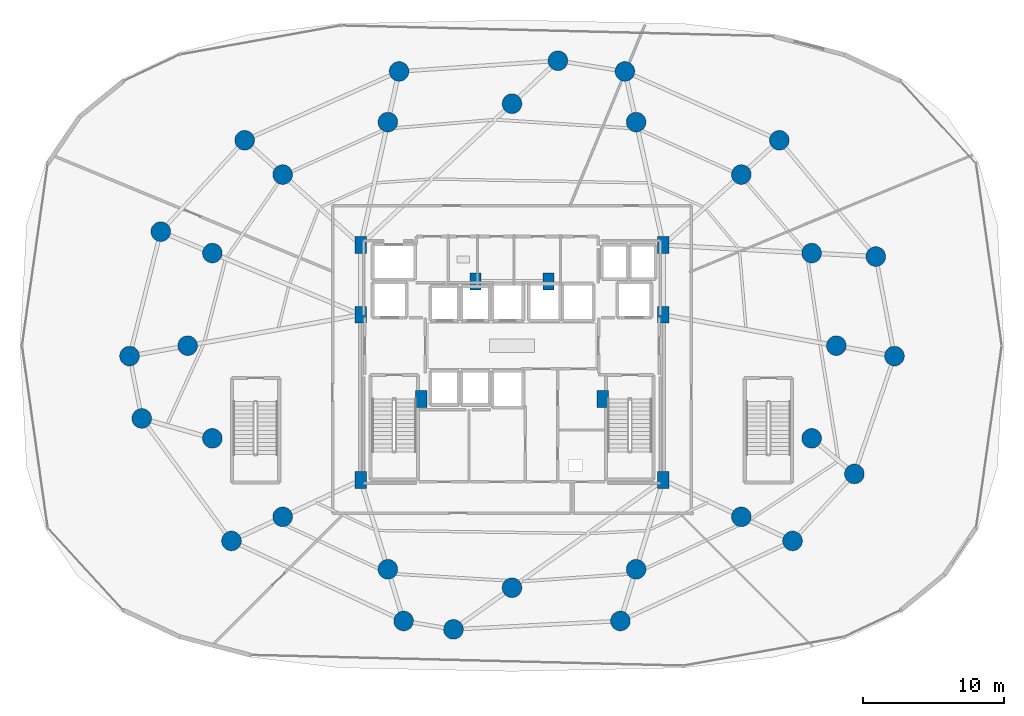
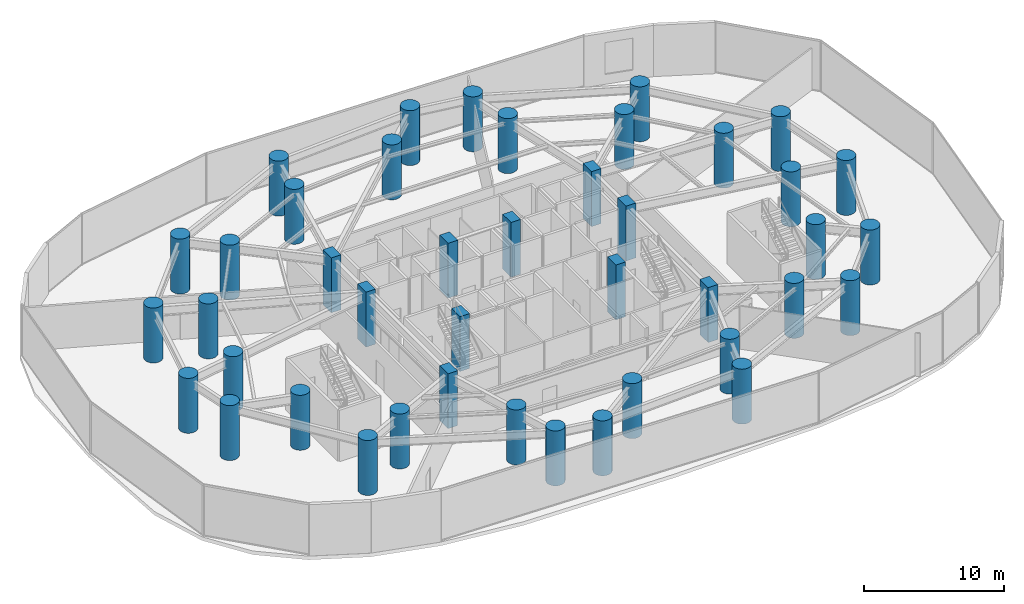
# One storey, part 1 of 26: 42 columns.
"""IFC4 building model written with IfcOpenShell, lengths in metres."""

import ifcopenshell
import ifcopenshell.guid

model = None  # the IFC model being written
_history = None  # IfcOwnerHistory: only IFC2X3 demands one
_inside = {}  # id of a spatial element -> (the spatial element, [elements in it])
_under = {}  # id of a project, library or spatial element -> (it, [spatial elements below it])
_declared = {}  # id of a project -> (the project, [libraries it declares])
_typed = {}  # id of a type object -> (the type object, [elements of that type])
_made_of = {}  # id of a material, layer set ... -> (it, [elements and type objects made of it])


def new_model(schema):
    """Start an empty IFC model of exactly this schema.

    Asked for "IFC4X3", IfcOpenShell would pick the latest addendum, in which some entities
    have other attributes; the version numbers below select the first issue.
    IFC2X3 requires an IfcOwnerHistory on every rooted entity: one is made here for all.
    """
    global model, _history
    if schema == "IFC4X3":
        model = ifcopenshell.file(schema_version=(4, 3, 0, 0))
    else:
        model = ifcopenshell.file(schema=schema)
    _inside.clear()
    _under.clear()
    _declared.clear()
    _typed.clear()
    _made_of.clear()
    _history = None
    if model.schema == "IFC2X3":
        org = make("IfcOrganization", Name="unknown")
        user = make(
            "IfcPersonAndOrganization",
            ThePerson=make("IfcPerson", FamilyName="unknown"),
            TheOrganization=org,
        )
        app = make(
            "IfcApplication",
            ApplicationDeveloper=org,
            Version="unknown",
            ApplicationFullName="unknown",
            ApplicationIdentifier="unknown",
        )
        _history = make(
            "IfcOwnerHistory",
            OwningUser=user,
            OwningApplication=app,
            ChangeAction="ADDED",
            CreationDate=0,
        )
    return model


def make(cls, **values):
    """One entity of the class cls with the attributes given. An attribute that is None is left unset."""
    return model.create_entity(
        cls, **{name: value for name, value in values.items() if value is not None}
    )


def rooted(cls, **values):
    """An entity with a GlobalId (a new one), such as an element, a storey or a relation."""
    return make(cls, GlobalId=ifcopenshell.guid.new(), OwnerHistory=_history, **values)


def si_unit(unit_type, name, prefix=None):
    """IfcSIUnit, for example si_unit("LENGTHUNIT", "METRE", prefix="MILLI")."""
    return make("IfcSIUnit", UnitType=unit_type, Prefix=prefix, Name=name)


def assignment(units):
    """IfcUnitAssignment: the units of a project."""
    return None if units is None else make("IfcUnitAssignment", Units=units)


def point(xyz):
    """IfcCartesianPoint."""
    return None if xyz is None else make("IfcCartesianPoint", Coordinates=xyz)


def direction(xyz):
    """IfcDirection."""
    return None if xyz is None else make("IfcDirection", DirectionRatios=xyz)


def frame(location, z_axis=None, x_axis=None):
    """IfcAxis2Placement3D, a coordinate frame: its origin and axes. An axis left out is left unset."""
    return make(
        "IfcAxis2Placement3D",
        Location=point(location),
        Axis=direction(z_axis),
        RefDirection=direction(x_axis),
    )


def frame_2d(location, x_axis=None):
    """IfcAxis2Placement2D, a coordinate frame in the plane: its origin and x axis."""
    return make(
        "IfcAxis2Placement2D", Location=point(location), RefDirection=direction(x_axis)
    )


def origin():
    """The frame at (0, 0, 0) with its axes left unset."""
    return frame((0.0, 0.0, 0.0))


def origin_2d():
    """The frame at (0, 0) in the plane with its x axis left unset."""
    return frame_2d((0.0, 0.0))


def place(relative_to, where):
    """IfcLocalPlacement: puts the frame where relative to a parent placement (None: the world)."""
    return make(
        "IfcLocalPlacement", PlacementRelTo=relative_to, RelativePlacement=where
    )


def context(
    kind, dimensions, precision=None, world=None, true_north=None, identifier=None
):
    """IfcGeometricRepresentationContext, for example the 3D "Model" context."""
    return make(
        "IfcGeometricRepresentationContext",
        ContextIdentifier=identifier,
        ContextType=kind,
        CoordinateSpaceDimension=dimensions,
        Precision=precision,
        WorldCoordinateSystem=world,
        TrueNorth=true_north,
    )


def subcontext(parent, identifier, kind, view, scale=None):
    """IfcGeometricRepresentationSubContext, for example "Body" below "Model"."""
    return make(
        "IfcGeometricRepresentationSubContext",
        ContextIdentifier=identifier,
        ContextType=kind,
        ParentContext=parent,
        TargetScale=scale,
        TargetView=view,
    )


def project(units=None, contexts=None):
    """IfcProject with its units and contexts."""
    return rooted(
        "IfcProject",
        Name="project",
        RepresentationContexts=contexts,
        UnitsInContext=assignment(units),
    )


def spatial(cls, under=None, at=None, **own):
    """A site, building, storey or space (cls), placed at a placement, below another one or the project."""
    s = rooted(cls, ObjectPlacement=at, **own)
    if under is not None:
        _under.setdefault(under.id(), (under, []))[1].append(s)
    return s


def profile(cls, at=None, kind="AREA", **sizes):
    """A parametric profile (cls). Its sizes go by their IFC names, for example OverallWidth=200.0."""
    return make(cls, ProfileType=kind, Position=at, **sizes)


def rectangle(**sizes):
    """IfcRectangleProfileDef."""
    return profile("IfcRectangleProfileDef", **sizes)


def circle(**sizes):
    """IfcCircleProfileDef."""
    return profile("IfcCircleProfileDef", **sizes)


def extrude(swept, where, along, depth):
    """IfcExtrudedAreaSolid: the profile swept, set in the frame where, extruded along a direction by depth."""
    return make(
        "IfcExtrudedAreaSolid",
        SweptArea=swept,
        Position=where,
        ExtrudedDirection=direction(along),
        Depth=depth,
    )


def shape(context_of_items, identifier, shape_type, items):
    """IfcShapeRepresentation: the items that make up one representation, for example the "Body"."""
    return make(
        "IfcShapeRepresentation",
        ContextOfItems=context_of_items,
        RepresentationIdentifier=identifier,
        RepresentationType=shape_type,
        Items=items,
    )


def material(Name=None, Category=None):
    """IfcMaterial."""
    return make("IfcMaterial", Name=Name, Category=Category)


def material_profile(
    of_material, cross_section, Name=None, Category=None, Priority=None
):
    """IfcMaterialProfile: a cross section and its material."""
    return make(
        "IfcMaterialProfile",
        Name=Name,
        Material=of_material,
        Profile=cross_section,
        Priority=Priority,
        Category=Category,
    )


def profile_set(profiles, Name=None, composite=None):
    """IfcMaterialProfileSet."""
    return make(
        "IfcMaterialProfileSet",
        Name=Name,
        MaterialProfiles=profiles,
        CompositeProfile=composite,
    )


def made_of(thing, what):
    """Note that an element or type object is made of a material, layer set ...; save() writes the relation."""
    if what is not None:
        _made_of.setdefault(what.id(), (what, []))[1].append(thing)
    return thing


def type_object(cls, material=None, **own):
    """A type object (cls), such as IfcWallType, which elements share."""
    return made_of(rooted(cls, **own), material)


def element(
    cls,
    number,
    at=None,
    inside=None,
    cuts=None,
    type_object=None,
    material=None,
    context=None,
    identifier="Body",
    shape_type=None,
    held_by="IfcProductDefinitionShape",
    body=None,
    shapes=None,
    **own,
):
    """One element of the class cls, such as IfcWall. Its Tag is "e" and its number.

    at: its placement. inside: the storey or other place that contains it. cuts: it is an
    opening in that element (IfcRelVoidsElement). A single representation is given by context,
    identifier, shape_type and body (its items); several are given by shapes. held_by: the class
    of the entity that holds the representations. save() writes the other relations.
    """
    e = rooted(cls, Tag="e%d" % number, ObjectPlacement=at, **own)
    if body is not None:
        shapes = [shape(context, identifier, shape_type, body)]
    if shapes is not None:
        e.Representation = make(held_by, Representations=shapes)
    if inside is not None:
        _inside.setdefault(inside.id(), (inside, []))[1].append(e)
    if cuts is not None:
        rooted(
            "IfcRelVoidsElement", RelatingBuildingElement=cuts, RelatedOpeningElement=e
        )
    if type_object is not None:
        _typed.setdefault(type_object.id(), (type_object, []))[1].append(e)
    return made_of(e, material)


def aggregate(whole, parts):
    """IfcRelAggregates: a whole, such as a stair, and the parts it consists of."""
    return rooted("IfcRelAggregates", RelatingObject=whole, RelatedObjects=parts)


def save(model, path):
    """Write the relations noted so far, then the file.

    IfcRelAggregates (storeys below a building ...), IfcRelContainedInSpatialStructure (elements
    in a storey), IfcRelDefinesByType, IfcRelAssociatesMaterial and IfcRelDeclares: one each for
    every whole, place, type object, material and project.
    """
    for whole, parts in _under.values():
        aggregate(whole, parts)
    for where, things in _inside.values():
        rooted(
            "IfcRelContainedInSpatialStructure",
            RelatedElements=things,
            RelatingStructure=where,
        )
    for kind, things in _typed.values():
        rooted("IfcRelDefinesByType", RelatedObjects=things, RelatingType=kind)
    for what, things in _made_of.values():
        rooted("IfcRelAssociatesMaterial", RelatedObjects=things, RelatingMaterial=what)
    for by, libraries in _declared.values():
        rooted("IfcRelDeclares", RelatingContext=by, RelatedDefinitions=libraries)
    model.write(path)


model = new_model("IFC4")

# Units and contexts
model_context = context("Model", 3, precision=1e-05, world=origin(), true_north=direction((0.0, 1.0)))
body_context = subcontext(model_context, "Body", "Model", "MODEL_VIEW")
ifc_project = project(units=[si_unit("LENGTHUNIT", "METRE"), si_unit("AREAUNIT", "SQUARE_METRE"), si_unit("VOLUMEUNIT", "CUBIC_METRE"), si_unit("PLANEANGLEUNIT", "RADIAN"), si_unit("MASSUNIT", "GRAM", prefix="KILO")], contexts=[model_context])

# Site, building, storey
site_placement = place(None, origin())
site = spatial("IfcSite", under=ifc_project, at=site_placement, CompositionType="ELEMENT")
building_placement = place(site_placement, origin())
building = spatial("IfcBuilding", under=site, at=building_placement, Name="Vorneva Point Tower", CompositionType="ELEMENT")
storey_placement = place(building_placement, frame((0.0, 0.0, 14.39990234375)))
storey = spatial("IfcBuildingStorey", under=building, at=storey_placement, Name="L03", CompositionType="ELEMENT", Elevation=14.39990234375)

# Columns
ifc_material = material(Name="Concrete B60 (C50/60)", Category="concrete")
ifc_material_profile_1 = material_profile(ifc_material, circle(Radius=0.699951171875, at=origin_2d()), Name="RC-CIRC 1400")
ifc_profile_set_1 = profile_set([ifc_material_profile_1], Name="Concrete B60 (C50/60)")
column_type_1 = type_object("IfcColumnType", Name="COL-RC1400C", PredefinedType="COLUMN", material=ifc_profile_set_1)
for number, where, z_axis, x_axis, name in (
    (1, (61.050048828125, 26.0, 0.0), (0.0, 0.0, 1.0), (1.0, 0.0, 0.0), "L03 Perimeter Column P01"),
    (2, (59.29541015625, 32.582275390625, 0.0), (0.0, 0.0, 1.0), (0.923879532511, 0.382683432365, 0.0), "L03 Perimeter Column P02"),
    (3, (54.298828125, 38.162109375, 0.0), (0.0, 0.0, 1.0), (0.707106781187, 0.707106781187, 0.0), "L03 Perimeter Column P03"),
    (4, (46.82080078125, 41.890625, 0.0), (0.0, 0.0, 1.0), (0.382683432365, 0.923879532511, 0.0), "L03 Perimeter Column P04"),
    (5, (38.0, 43.199951171875, 0.0), (0.0, 0.0, 1.0), (0.0, 1.0, 0.0), "L03 Perimeter Column P05"),
    (6, (29.17919921875, 41.890625, 0.0), (0.0, 0.0, 1.0), (-0.382683432365, 0.923879532511, 0.0), "L03 Perimeter Column P06"),
    (7, (21.701171875, 38.162109375, 0.0), (0.0, 0.0, 1.0), (-0.707106781187, 0.707106781187, 0.0), "L03 Perimeter Column P07"),
    (8, (16.70458984375, 32.582275390625, 0.0), (0.0, 0.0, 1.0), (-0.923879532511, 0.382683432365, 0.0), "L03 Perimeter Column P08"),
    (9, (14.949951171875, 26.0, 0.0), (0.0, 0.0, 1.0), (-1.0, 0.0, 0.0), "L03 Perimeter Column P09"),
    (10, (16.70458984375, 19.417724609375, 0.0), (0.0, 0.0, 1.0), (-0.923879532511, -0.382683432365, 0.0), "L03 Perimeter Column P10"),
    (11, (21.701171875, 13.837890625, 0.0), (0.0, 0.0, 1.0), (-0.707106781187, -0.707106781187, 0.0), "L03 Perimeter Column P11"),
    (12, (29.17919921875, 10.109375, 0.0), (0.0, 0.0, 1.0), (-0.382683432365, -0.923879532511, 0.0), "L03 Perimeter Column P12"),
    (13, (38.0, 8.800048828125, 0.0), (0.0, 0.0, 1.0), (0.0, -1.0, 0.0), "L03 Perimeter Column P13"),
    (14, (46.82080078125, 10.109375, 0.0), (0.0, 0.0, 1.0), (0.382683432365, -0.923879532511, 0.0), "L03 Perimeter Column P14"),
    (15, (54.298828125, 13.837890625, 0.0), (0.0, 0.0, 1.0), (0.707106781187, -0.707106781187, 0.0), "L03 Perimeter Column P15"),
    (16, (59.29541015625, 19.417724609375, 0.0), (0.0, 0.0, 1.0), (0.923879532511, -0.382683432365, 0.0), "L03 Perimeter Column P16"),
    (17, (65.18212890625, 25.260986328125, 0.0), (0.0, 0.0, 1.0), (1.0, 0.0, 0.0), "L03 Outer Zone Column OP01"),
    (18, (63.8544921875, 32.336669921875, 0.0), (0.0, 0.0, 1.0), (0.923879532511, 0.382683432365, 0.0), "L03 Outer Zone Column OP02"),
    (19, (56.997314453125, 40.599853515625, 0.0), (0.0, 0.0, 1.0), (0.707106781187, 0.707106781187, 0.0), "L03 Outer Zone Column OP03"),
    (20, (46.026123046875, 45.49169921875, 0.0), (0.0, 0.0, 1.0), (0.382683432365, 0.923879532511, 0.0), "L03 Outer Zone Column OP04"),
    (21, (41.26513671875, 46.25244140625, 0.0), (0.0, 0.0, 1.0), (0.0, 1.0, 0.0), "L03 Outer Zone Column OP05"),
    (22, (29.973876953125, 45.49169921875, 0.0), (0.0, 0.0, 1.0), (-0.382683432365, 0.923879532511, 0.0), "L03 Outer Zone Column OP06"),
    (23, (19.002685546875, 40.599853515625, 0.0), (0.0, 0.0, 1.0), (-0.707106781187, 0.707106781187, 0.0), "L03 Outer Zone Column OP07"),
    (24, (13.0390625, 34.10546875, 0.0), (0.0, 0.0, 1.0), (-0.923879532511, 0.382683432365, 0.0), "L03 Outer Zone Column OP08"),
    (25, (10.81787109375, 25.260986328125, 0.0), (0.0, 0.0, 1.0), (-1.0, 0.0, 0.0), "L03 Outer Zone Column OP09"),
    (26, (11.68798828125, 20.82958984375, 0.0), (0.0, 0.0, 1.0), (-0.923879532511, -0.382683432365, 0.0), "L03 Outer Zone Column OP10"),
    (27, (18.061279296875, 12.124267578125, 0.0), (0.0, 0.0, 1.0), (-0.707106781187, -0.707106781187, 0.0), "L03 Outer Zone Column OP11"),
    (28, (30.296875, 6.435302734375, 0.0), (0.0, 0.0, 1.0), (-0.382683432365, -0.923879532511, 0.0), "L03 Outer Zone Column OP12"),
    (29, (33.84033203125, 5.83984375, 0.0), (0.0, 0.0, 1.0), (0.0, -1.0, 0.0), "L03 Outer Zone Column OP13"),
    (30, (45.703125, 6.435302734375, 0.0), (0.0, 0.0, 1.0), (0.382683432365, -0.923879532511, 0.0), "L03 Outer Zone Column OP14"),
    (31, (57.938720703125, 12.124267578125, 0.0), (0.0, 0.0, 1.0), (0.707106781187, -0.707106781187, 0.0), "L03 Outer Zone Column OP15"),
    (32, (62.3349609375, 16.886474609375, 0.0), (0.0, 0.0, 1.0), (0.923879532511, -0.382683432365, 0.0), "L03 Outer Zone Column OP16"),
):
    element("IfcColumn", number, at=place(storey_placement, frame(where, z_axis=z_axis, x_axis=x_axis)), inside=storey, type_object=column_type_1, Name=name, PredefinedType="COLUMN", context=body_context, shape_type="SweptSolid", body=[
        extrude(circle(Radius=0.699951171875, at=origin_2d()), origin(), (0.0, 0.0, 1.0), 4.800048828125),
    ])
ifc_material_profile_2 = material_profile(ifc_material, rectangle(XDim=0.800048828125, YDim=1.199951171875, at=origin_2d()), Name="RC-PIL 1200x800")
ifc_profile_set_2 = profile_set([ifc_material_profile_2], Name="Concrete B60 (C50/60)")
column_type_2 = type_object("IfcColumnType", Name="PIL-RC1200x800", PredefinedType="PILASTER", material=ifc_profile_set_2)
for number, where, z_axis, x_axis, name in (
    (33, (27.25, 16.449951171875, 0.0), (0.0, 0.0, 1.0), (1.0, 0.0, 0.0), "L03 Core Pilaster CP1"),
    (34, (27.25, 28.199951171875, 0.0), (0.0, 0.0, 1.0), (1.0, 0.0, 0.0), "L03 Core Pilaster CP2"),
    (35, (27.25, 33.14990234375, 0.0), (0.0, 0.0, 1.0), (1.0, 0.0, 0.0), "L03 Core Pilaster CP3"),
    (36, (31.550048828125, 22.199951171875, 0.0), (0.0, 0.0, 1.0), (1.0, 0.0, 0.0), "L03 Core Pilaster CP4"),
    (37, (48.75, 33.14990234375, 0.0), (0.0, 0.0, 1.0), (1.0, 0.0, 0.0), "L03 Core Pilaster CP5"),
    (38, (48.75, 28.199951171875, 0.0), (0.0, 0.0, 1.0), (1.0, 0.0, 0.0), "L03 Core Pilaster CP6"),
    (39, (48.75, 16.449951171875, 0.0), (0.0, 0.0, 1.0), (1.0, 0.0, 0.0), "L03 Core Pilaster CP7"),
    (40, (44.449951171875, 22.199951171875, 0.0), (0.0, 0.0, 1.0), (1.0, 0.0, 0.0), "L03 Core Pilaster CP8"),
    (41, (35.39990234375, 30.550048828125, 0.0), (0.0, 0.0, 1.0), (1.0, 0.0, 0.0), "L03 Core Pilaster CP9"),
    (42, (40.60009765625, 30.550048828125, 0.0), (0.0, 0.0, 1.0), (1.0, 0.0, 0.0), "L03 Core Pilaster CP10"),
):
    element("IfcColumn", number, at=place(storey_placement, frame(where, z_axis=z_axis, x_axis=x_axis)), inside=storey, type_object=column_type_2, Name=name, PredefinedType="PILASTER", context=body_context, shape_type="SweptSolid", body=[
        extrude(rectangle(XDim=0.800048828125, YDim=1.199951171875, at=origin_2d()), origin(), (0.0, 0.0, 1.0), 4.800048828125),
    ])

save(model, "model.ifc")
